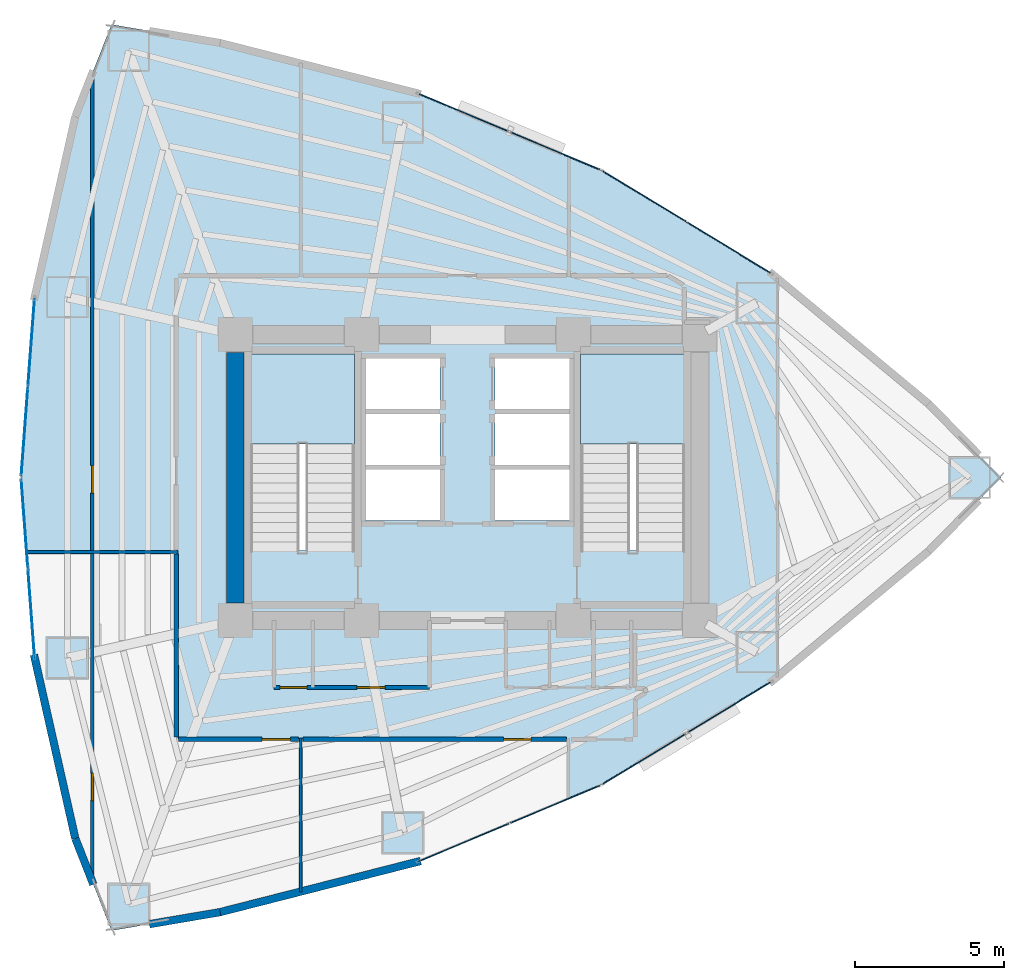
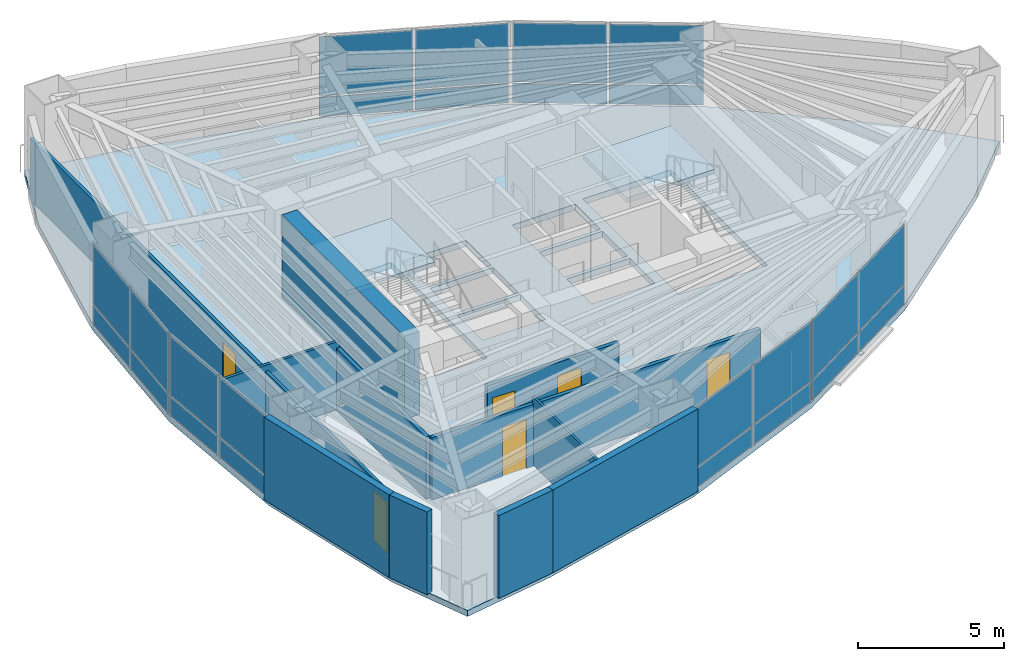
# One storey, part 13 of 17: 24 plates, 12 walls, 6 doors, 3 slabs, 6 openings, 8 elements without a shape of their own.
"""IFC4 building model written with IfcOpenShell, lengths in metres."""

from ifc_helpers import new_model, si_unit, direction, frame, frame_2d, origin, origin_2d, place, context, subcontext, project, spatial, polyline, rectangle, outline, extrude, material, layer, layer_set, type_object, element, fill, aggregate, save


model = new_model("IFC4")

# Units and contexts
model_context = context("Model", 3, precision=1e-05, world=origin(), true_north=direction((0.0, 1.0)))
body_context = subcontext(model_context, "Body", "Model", "MODEL_VIEW")
ifc_project = project(units=[si_unit("LENGTHUNIT", "METRE"), si_unit("AREAUNIT", "SQUARE_METRE"), si_unit("VOLUMEUNIT", "CUBIC_METRE"), si_unit("PLANEANGLEUNIT", "RADIAN"), si_unit("MASSUNIT", "GRAM", prefix="KILO")], contexts=[model_context])

# Site, building, storey
site_placement = place(None, origin())
site = spatial("IfcSite", under=ifc_project, at=site_placement, CompositionType="ELEMENT")
building_placement = place(site_placement, origin())
building = spatial("IfcBuilding", under=site, at=building_placement, Name="Menara Vayukalpa", CompositionType="ELEMENT")
storey_placement = place(building_placement, frame((0.0, 0.0, 49.919921875)))
storey = spatial("IfcBuildingStorey", under=building, at=storey_placement, Name="L11", CompositionType="ELEMENT", Elevation=49.919921875)

# Curtain wall, plates
ifc_material_1 = material(Name="Anodised Terracotta Aluminium Alloy 6063-T6", Category="masonry")
ifc_layer_1 = layer(ifc_material_1, 0.1650390625)
ifc_layer_set_1 = layer_set([ifc_layer_1], Name="Anodised Terracotta Aluminium Alloy 6063-T6")
curtain_wall_type = type_object("IfcCurtainWallType", Name="CW-CW2", PredefinedType="USERDEFINED", material=ifc_layer_set_1)
curtain_wall_1_placement = place(storey_placement, origin())
curtain_wall_1 = element("IfcCurtainWall", 1, at=curtain_wall_1_placement, inside=storey, type_object=curtain_wall_type, Name="L11 Low Rise Terracotta Ribbon Curtain Wall CW2 04", ObjectType="UNITISED", PredefinedType="USERDEFINED")
ifc_material_2 = material(Name="Low-E Double Glazing", Category="glass")
ifc_layer_2 = layer(ifc_material_2, 0.031982421875)
ifc_layer_set_2 = layer_set([ifc_layer_2], Name="Low-E Double Glazing")
plate_type = type_object("IfcPlateType", Name="CWP-CW2", PredefinedType="CURTAIN_PANEL", material=ifc_layer_set_2)
plate_1_placement = place(storey_placement, frame((34.371826171875, 29.721435546875, 0.06494140625), z_axis=(0.0, 0.0, 1.0), x_axis=(-0.854663727945, 0.519181964377, 0.0)))
plate_1 = element("IfcPlate", 2, at=plate_1_placement, type_object=plate_type, Name="CW2 panel 1.1", PredefinedType="CURTAIN_PANEL", context=body_context, shape_type="SweptSolid", body=[
    extrude(rectangle(XDim=3.24267578125, YDim=0.031982421875, at=origin_2d()), origin(), (0.0, 0.0, 1.0), 0.802490234375),
])
plate_2_placement = place(storey_placement, frame((34.371826171875, 29.721435546875, 0.9326171875), z_axis=(0.0, 0.0, 1.0), x_axis=(-0.854663727945, 0.519181964377, 0.0)))
plate_2 = element("IfcPlate", 3, at=plate_2_placement, type_object=plate_type, Name="CW2 panel 1.2", PredefinedType="CURTAIN_PANEL", context=body_context, shape_type="SweptSolid", body=[
    extrude(rectangle(XDim=3.24267578125, YDim=0.031982421875, at=origin_2d()), origin(), (0.0, 0.0, 1.0), 2.472412109375),
])
plate_3_placement = place(storey_placement, frame((31.54052734375, 31.44140625, 0.06494140625), z_axis=(0.0, 0.0, 1.0), x_axis=(-0.854663727945, 0.519181964377, 0.0)))
plate_3 = element("IfcPlate", 4, at=plate_3_placement, type_object=plate_type, Name="CW2 panel 2.1", PredefinedType="CURTAIN_PANEL", context=body_context, shape_type="SweptSolid", body=[
    extrude(rectangle(XDim=3.24267578125, YDim=0.031982421875, at=origin_2d()), origin(), (0.0, 0.0, 1.0), 0.802490234375),
])
plate_4_placement = place(storey_placement, frame((31.54052734375, 31.44140625, 0.9326171875), z_axis=(0.0, 0.0, 1.0), x_axis=(-0.854663727945, 0.519181964377, 0.0)))
plate_4 = element("IfcPlate", 5, at=plate_4_placement, type_object=plate_type, Name="CW2 panel 2.2", PredefinedType="CURTAIN_PANEL", context=body_context, shape_type="SweptSolid", body=[
    extrude(rectangle(XDim=3.24267578125, YDim=0.031982421875, at=origin_2d()), origin(), (0.0, 0.0, 1.0), 2.472412109375),
])
aggregate(curtain_wall_1, [plate_1, plate_2, plate_3, plate_4])

curtain_wall_2_placement = place(storey_placement, origin())
curtain_wall_2 = element("IfcCurtainWall", 6, at=curtain_wall_2_placement, inside=storey, type_object=curtain_wall_type, Name="L11 Low Rise Terracotta Ribbon Curtain Wall CW2 05", ObjectType="UNITISED", PredefinedType="USERDEFINED")
plate_5_placement = place(storey_placement, frame((28.534912109375, 32.97216796875, 0.06494140625), z_axis=(0.0, 0.0, 1.0), x_axis=(-0.922542658101, 0.385895120445, 0.0)))
plate_5 = element("IfcPlate", 7, at=plate_5_placement, type_object=plate_type, Name="CW2 panel 1.1", PredefinedType="CURTAIN_PANEL", context=body_context, shape_type="SweptSolid", body=[
    extrude(rectangle(XDim=3.242431640625, YDim=0.031982421875, at=origin_2d()), origin(), (0.0, 0.0, 1.0), 0.802490234375),
])
plate_6_placement = place(storey_placement, frame((28.534912109375, 32.97216796875, 0.9326171875), z_axis=(0.0, 0.0, 1.0), x_axis=(-0.922542658101, 0.385895120445, 0.0)))
plate_6 = element("IfcPlate", 8, at=plate_6_placement, type_object=plate_type, Name="CW2 panel 1.2", PredefinedType="CURTAIN_PANEL", context=body_context, shape_type="SweptSolid", body=[
    extrude(rectangle(XDim=3.242431640625, YDim=0.031982421875, at=origin_2d()), origin(), (0.0, 0.0, 1.0), 2.472412109375),
])
plate_7_placement = place(storey_placement, frame((25.478759765625, 34.250244140625, 0.06494140625), z_axis=(0.0, 0.0, 1.0), x_axis=(-0.922542658101, 0.385895120445, 0.0)))
plate_7 = element("IfcPlate", 9, at=plate_7_placement, type_object=plate_type, Name="CW2 panel 2.1", PredefinedType="CURTAIN_PANEL", context=body_context, shape_type="SweptSolid", body=[
    extrude(rectangle(XDim=3.242431640625, YDim=0.031982421875, at=origin_2d()), origin(), (0.0, 0.0, 1.0), 0.802490234375),
])
plate_8_placement = place(storey_placement, frame((25.478759765625, 34.250244140625, 0.9326171875), z_axis=(0.0, 0.0, 1.0), x_axis=(-0.922542658101, 0.385895120445, 0.0)))
plate_8 = element("IfcPlate", 10, at=plate_8_placement, type_object=plate_type, Name="CW2 panel 2.2", PredefinedType="CURTAIN_PANEL", context=body_context, shape_type="SweptSolid", body=[
    extrude(rectangle(XDim=3.242431640625, YDim=0.031982421875, at=origin_2d()), origin(), (0.0, 0.0, 1.0), 2.472412109375),
])
aggregate(curtain_wall_2, [plate_5, plate_6, plate_7, plate_8])

curtain_wall_3_placement = place(storey_placement, origin())
curtain_wall_3 = element("IfcCurtainWall", 11, at=curtain_wall_3_placement, inside=storey, type_object=curtain_wall_type, Name="L11 Low Rise Terracotta Ribbon Curtain Wall CW2 10", ObjectType="UNITISED", PredefinedType="USERDEFINED")
plate_9_placement = place(storey_placement, frame((10.94921875, 26.52734375, 0.06494140625), z_axis=(0.0, 0.0, 1.0), x_axis=(-0.074794857576, -0.997198941676, 0.0)))
plate_9 = element("IfcPlate", 12, at=plate_9_placement, type_object=plate_type, Name="CW2 panel 1.1", PredefinedType="CURTAIN_PANEL", context=body_context, shape_type="SweptSolid", body=[
    extrude(rectangle(XDim=2.933349609375, YDim=0.031982421875, at=origin_2d()), origin(), (0.0, 0.0, 1.0), 0.802490234375),
])
plate_10_placement = place(storey_placement, frame((10.94921875, 26.52734375, 0.9326171875), z_axis=(0.0, 0.0, 1.0), x_axis=(-0.074794857576, -0.997198941676, 0.0)))
plate_10 = element("IfcPlate", 13, at=plate_10_placement, type_object=plate_type, Name="CW2 panel 1.2", PredefinedType="CURTAIN_PANEL", context=body_context, shape_type="SweptSolid", body=[
    extrude(rectangle(XDim=2.933349609375, YDim=0.031982421875, at=origin_2d()), origin(), (0.0, 0.0, 1.0), 2.472412109375),
])
plate_11_placement = place(storey_placement, frame((10.724609375, 23.532470703125, 0.06494140625), z_axis=(0.0, 0.0, 1.0), x_axis=(-0.074794857576, -0.997198941676, 0.0)))
plate_11 = element("IfcPlate", 14, at=plate_11_placement, type_object=plate_type, Name="CW2 panel 2.1", PredefinedType="CURTAIN_PANEL", context=body_context, shape_type="SweptSolid", body=[
    extrude(rectangle(XDim=2.933349609375, YDim=0.031982421875, at=origin_2d()), origin(), (0.0, 0.0, 1.0), 0.802490234375),
])
plate_12_placement = place(storey_placement, frame((10.724609375, 23.532470703125, 0.9326171875), z_axis=(0.0, 0.0, 1.0), x_axis=(-0.074794857576, -0.997198941676, 0.0)))
plate_12 = element("IfcPlate", 15, at=plate_12_placement, type_object=plate_type, Name="CW2 panel 2.2", PredefinedType="CURTAIN_PANEL", context=body_context, shape_type="SweptSolid", body=[
    extrude(rectangle(XDim=2.933349609375, YDim=0.031982421875, at=origin_2d()), origin(), (0.0, 0.0, 1.0), 2.472412109375),
])
aggregate(curtain_wall_3, [plate_9, plate_10, plate_11, plate_12])

curtain_wall_4_placement = place(storey_placement, origin())
curtain_wall_4 = element("IfcCurtainWall", 16, at=curtain_wall_4_placement, inside=storey, type_object=curtain_wall_type, Name="L11 Low Rise Terracotta Ribbon Curtain Wall CW2 11", ObjectType="UNITISED", PredefinedType="USERDEFINED")
plate_13_placement = place(storey_placement, frame((10.724609375, 20.467529296875, 0.06494140625), z_axis=(0.0, 0.0, 1.0), x_axis=(0.074794857576, -0.997198941676, 0.0)))
plate_13 = element("IfcPlate", 17, at=plate_13_placement, type_object=plate_type, Name="CW2 panel 1.1", PredefinedType="CURTAIN_PANEL", context=body_context, shape_type="SweptSolid", body=[
    extrude(rectangle(XDim=2.933349609375, YDim=0.031982421875, at=origin_2d()), origin(), (0.0, 0.0, 1.0), 0.802490234375),
])
plate_14_placement = place(storey_placement, frame((10.724609375, 20.467529296875, 0.9326171875), z_axis=(0.0, 0.0, 1.0), x_axis=(0.074794857576, -0.997198941676, 0.0)))
plate_14 = element("IfcPlate", 18, at=plate_14_placement, type_object=plate_type, Name="CW2 panel 1.2", PredefinedType="CURTAIN_PANEL", context=body_context, shape_type="SweptSolid", body=[
    extrude(rectangle(XDim=2.933349609375, YDim=0.031982421875, at=origin_2d()), origin(), (0.0, 0.0, 1.0), 2.472412109375),
])
plate_15_placement = place(storey_placement, frame((10.94921875, 17.47265625, 0.06494140625), z_axis=(0.0, 0.0, 1.0), x_axis=(0.074794857576, -0.997198941676, 0.0)))
plate_15 = element("IfcPlate", 19, at=plate_15_placement, type_object=plate_type, Name="CW2 panel 2.1", PredefinedType="CURTAIN_PANEL", context=body_context, shape_type="SweptSolid", body=[
    extrude(rectangle(XDim=2.933349609375, YDim=0.031982421875, at=origin_2d()), origin(), (0.0, 0.0, 1.0), 0.802490234375),
])
plate_16_placement = place(storey_placement, frame((10.94921875, 17.47265625, 0.9326171875), z_axis=(0.0, 0.0, 1.0), x_axis=(0.074794857576, -0.997198941676, 0.0)))
plate_16 = element("IfcPlate", 20, at=plate_16_placement, type_object=plate_type, Name="CW2 panel 2.2", PredefinedType="CURTAIN_PANEL", context=body_context, shape_type="SweptSolid", body=[
    extrude(rectangle(XDim=2.933349609375, YDim=0.031982421875, at=origin_2d()), origin(), (0.0, 0.0, 1.0), 2.472412109375),
])
aggregate(curtain_wall_4, [plate_13, plate_14, plate_15, plate_16])

curtain_wall_5_placement = place(storey_placement, origin())
curtain_wall_5 = element("IfcCurtainWall", 21, at=curtain_wall_5_placement, inside=storey, type_object=curtain_wall_type, Name="L11 Low Rise Terracotta Ribbon Curtain Wall CW2 16", ObjectType="UNITISED", PredefinedType="USERDEFINED")
plate_17_placement = place(storey_placement, frame((25.478759765625, 9.749755859375, 0.06494140625), z_axis=(0.0, 0.0, 1.0), x_axis=(0.922542658101, 0.385895120445, 0.0)))
plate_17 = element("IfcPlate", 22, at=plate_17_placement, type_object=plate_type, Name="CW2 panel 1.1", PredefinedType="CURTAIN_PANEL", context=body_context, shape_type="SweptSolid", body=[
    extrude(rectangle(XDim=3.242431640625, YDim=0.031982421875, at=origin_2d()), origin(), (0.0, 0.0, 1.0), 0.802490234375),
])
plate_18_placement = place(storey_placement, frame((25.478759765625, 9.749755859375, 0.9326171875), z_axis=(0.0, 0.0, 1.0), x_axis=(0.922542658101, 0.385895120445, 0.0)))
plate_18 = element("IfcPlate", 23, at=plate_18_placement, type_object=plate_type, Name="CW2 panel 1.2", PredefinedType="CURTAIN_PANEL", context=body_context, shape_type="SweptSolid", body=[
    extrude(rectangle(XDim=3.242431640625, YDim=0.031982421875, at=origin_2d()), origin(), (0.0, 0.0, 1.0), 2.472412109375),
])
plate_19_placement = place(storey_placement, frame((28.534912109375, 11.02783203125, 0.06494140625), z_axis=(0.0, 0.0, 1.0), x_axis=(0.922542658101, 0.385895120445, 0.0)))
plate_19 = element("IfcPlate", 24, at=plate_19_placement, type_object=plate_type, Name="CW2 panel 2.1", PredefinedType="CURTAIN_PANEL", context=body_context, shape_type="SweptSolid", body=[
    extrude(rectangle(XDim=3.242431640625, YDim=0.031982421875, at=origin_2d()), origin(), (0.0, 0.0, 1.0), 0.802490234375),
])
plate_20_placement = place(storey_placement, frame((28.534912109375, 11.02783203125, 0.9326171875), z_axis=(0.0, 0.0, 1.0), x_axis=(0.922542658101, 0.385895120445, 0.0)))
plate_20 = element("IfcPlate", 25, at=plate_20_placement, type_object=plate_type, Name="CW2 panel 2.2", PredefinedType="CURTAIN_PANEL", context=body_context, shape_type="SweptSolid", body=[
    extrude(rectangle(XDim=3.242431640625, YDim=0.031982421875, at=origin_2d()), origin(), (0.0, 0.0, 1.0), 2.472412109375),
])
aggregate(curtain_wall_5, [plate_17, plate_18, plate_19, plate_20])

curtain_wall_6_placement = place(storey_placement, origin())
curtain_wall_6 = element("IfcCurtainWall", 26, at=curtain_wall_6_placement, inside=storey, type_object=curtain_wall_type, Name="L11 Low Rise Terracotta Ribbon Curtain Wall CW2 17", ObjectType="UNITISED", PredefinedType="USERDEFINED")
plate_21_placement = place(storey_placement, frame((31.54052734375, 12.55859375, 0.06494140625), z_axis=(0.0, 0.0, 1.0), x_axis=(0.854663727945, 0.519181964377, 0.0)))
plate_21 = element("IfcPlate", 27, at=plate_21_placement, type_object=plate_type, Name="CW2 panel 1.1", PredefinedType="CURTAIN_PANEL", context=body_context, shape_type="SweptSolid", body=[
    extrude(rectangle(XDim=3.24267578125, YDim=0.031982421875, at=origin_2d()), origin(), (0.0, 0.0, 1.0), 0.802490234375),
])
plate_22_placement = place(storey_placement, frame((31.54052734375, 12.55859375, 0.9326171875), z_axis=(0.0, 0.0, 1.0), x_axis=(0.854663727945, 0.519181964377, 0.0)))
plate_22 = element("IfcPlate", 28, at=plate_22_placement, type_object=plate_type, Name="CW2 panel 1.2", PredefinedType="CURTAIN_PANEL", context=body_context, shape_type="SweptSolid", body=[
    extrude(rectangle(XDim=3.24267578125, YDim=0.031982421875, at=origin_2d()), origin(), (0.0, 0.0, 1.0), 2.472412109375),
])
plate_23_placement = place(storey_placement, frame((34.371826171875, 14.278564453125, 0.06494140625), z_axis=(0.0, 0.0, 1.0), x_axis=(0.854663727945, 0.519181964377, 0.0)))
plate_23 = element("IfcPlate", 29, at=plate_23_placement, type_object=plate_type, Name="CW2 panel 2.1", PredefinedType="CURTAIN_PANEL", context=body_context, shape_type="SweptSolid", body=[
    extrude(rectangle(XDim=3.24267578125, YDim=0.031982421875, at=origin_2d()), origin(), (0.0, 0.0, 1.0), 0.802490234375),
])
plate_24_placement = place(storey_placement, frame((34.371826171875, 14.278564453125, 0.9326171875), z_axis=(0.0, 0.0, 1.0), x_axis=(0.854663727945, 0.519181964377, 0.0)))
plate_24 = element("IfcPlate", 30, at=plate_24_placement, type_object=plate_type, Name="CW2 panel 2.2", PredefinedType="CURTAIN_PANEL", context=body_context, shape_type="SweptSolid", body=[
    extrude(rectangle(XDim=3.24267578125, YDim=0.031982421875, at=origin_2d()), origin(), (0.0, 0.0, 1.0), 2.472412109375),
])
aggregate(curtain_wall_6, [plate_21, plate_22, plate_23, plate_24])

# Slab
ifc_material_3 = material(Name="Concrete C40/50", Category="concrete")
ifc_layer_3 = layer(ifc_material_3, 0.25)
ifc_layer_set_3 = layer_set([ifc_layer_3], Name="Concrete C40/50")
slab_type_1 = type_object("IfcSlabType", Name="SLB-FL250", PredefinedType="FLOOR", material=ifc_layer_set_3)
slab_1_placement = place(storey_placement, frame((0.0, 0.0, -0.25)))
element("IfcSlab", 31, at=slab_1_placement, inside=storey, type_object=slab_type_1, Name="L11 Structural Floor Slab", PredefinedType="FLOOR", context=body_context, shape_type="SweptSolid", body=[
    extrude(outline(polyline([(41.084716796875, 19.52490234375), (43.514892578125, 22.0), (41.084716796875, 24.47509765625), (35.817138671875, 28.843505859375), (30.09521484375, 32.3193359375), (23.918701171875, 34.903076171875), (17.28759765625, 36.59423828125), (13.642578125, 37.212890625), (12.427490234375, 34.119140625), (11.064208984375, 28.0595703125), (10.609619140625, 22.0), (11.064208984375, 15.9404296875), (12.427490234375, 9.880859375), (13.642578125, 6.787109375), (17.28759765625, 7.40576171875), (23.918701171875, 9.096923828125), (30.09521484375, 11.6806640625), (35.817138671875, 15.156494140625), (41.084716796875, 19.52490234375)]), holes=[polyline([(21.800048828125, 19.550048828125), (21.800048828125, 26.14990234375), (18.300048828125, 26.14990234375), (18.300048828125, 19.550048828125), (21.800048828125, 19.550048828125)]), polyline([(32.89990234375, 19.550048828125), (32.89990234375, 26.14990234375), (29.39990234375, 26.14990234375), (29.39990234375, 19.550048828125), (32.89990234375, 19.550048828125)]), polyline([(22.179931640625, 20.550048828125), (24.679931640625, 20.550048828125), (24.679931640625, 22.27001953125), (22.179931640625, 22.27001953125), (22.179931640625, 20.550048828125)]), polyline([(26.52001953125, 20.550048828125), (29.02001953125, 20.550048828125), (29.02001953125, 22.27001953125), (26.52001953125, 22.27001953125), (26.52001953125, 20.550048828125)]), polyline([(22.179931640625, 22.419921875), (24.679931640625, 22.419921875), (24.679931640625, 24.139892578125), (22.179931640625, 24.139892578125), (22.179931640625, 22.419921875)]), polyline([(22.179931640625, 24.2900390625), (24.679931640625, 24.2900390625), (24.679931640625, 26.010009765625), (22.179931640625, 26.010009765625), (22.179931640625, 24.2900390625)]), polyline([(26.52001953125, 24.2900390625), (29.02001953125, 24.2900390625), (29.02001953125, 26.010009765625), (26.52001953125, 26.010009765625), (26.52001953125, 24.2900390625)]), polyline([(26.52001953125, 22.419921875), (29.02001953125, 22.419921875), (29.02001953125, 24.139892578125), (26.52001953125, 24.139892578125), (26.52001953125, 22.419921875)])]), origin(), (0.0, 0.0, 1.0), 0.25),
])

# Stair, slab
ifc_material_4 = material(Name="Precast Concrete C40/50", Category="concrete")
stair_type = type_object("IfcStairType", Name="STR-T04", PredefinedType="DOUBLE_RETURN_STAIR", material=ifc_material_4)
stair_1_placement = place(storey_placement, origin())
stair_1 = element("IfcStair", 32, at=stair_1_placement, inside=storey, type_object=stair_type, Name="L11 Core Exit Stair ST-1", PredefinedType="DOUBLE_RETURN_STAIR")
ifc_material_5 = material(Name="Precast Concrete C40/50", Category="concrete")
ifc_layer_4 = layer(ifc_material_5, 0.199951171875)
ifc_layer_set_4 = layer_set([ifc_layer_4], Name="Precast Concrete C40/50")
slab_type_2 = type_object("IfcSlabType", Name="SLB-LND200", PredefinedType="LANDING", material=ifc_layer_set_4)
slab_2_placement = place(storey_placement, frame((0.0, 0.0, 1.66015625)))
slab_2 = element("IfcSlab", 33, at=slab_2_placement, type_object=slab_type_2, Name="ST-1 landing 1", PredefinedType="LANDING", context=body_context, shape_type="SweptSolid", body=[
    extrude(outline(polyline([(21.800048828125, 23.1298828125), (21.800048828125, 26.14990234375), (18.300048828125, 26.14990234375), (18.300048828125, 23.1298828125), (21.800048828125, 23.1298828125)])), origin(), (0.0, 0.0, 1.0), 0.199951171875),
])
aggregate(stair_1, [slab_2])

stair_2_placement = place(storey_placement, origin())
stair_2 = element("IfcStair", 34, at=stair_2_placement, inside=storey, type_object=stair_type, Name="L11 Core Exit Stair ST-2", PredefinedType="DOUBLE_RETURN_STAIR")
slab_3_placement = place(storey_placement, frame((0.0, 0.0, 1.66015625)))
slab_3 = element("IfcSlab", 35, at=slab_3_placement, type_object=slab_type_2, Name="ST-2 landing 1", PredefinedType="LANDING", context=body_context, shape_type="SweptSolid", body=[
    extrude(outline(polyline([(32.89990234375, 23.1298828125), (32.89990234375, 26.14990234375), (29.39990234375, 26.14990234375), (29.39990234375, 23.1298828125), (32.89990234375, 23.1298828125)])), origin(), (0.0, 0.0, 1.0), 0.199951171875),
])
aggregate(stair_2, [slab_3])

# Walls
ifc_material_6 = material(Name="Concrete C70/85", Category="concrete")
ifc_layer_5 = layer(ifc_material_6, 0.60009765625)
ifc_layer_set_5 = layer_set([ifc_layer_5], Name="Concrete C70/85")
wall_type_1 = type_object("IfcWallType", Name="WAL-CW600", PredefinedType="SHEAR", material=ifc_layer_set_5)
wall_1_placement = place(storey_placement, frame((17.800048828125, 17.794921875, 0.0), z_axis=(0.0, 0.0, 1.0), x_axis=(0.0, 1.0, 0.0)))
element("IfcWall", 36, at=wall_1_placement, inside=storey, type_object=wall_type_1, Name="L11 Buttressed Core Shear Wall CWW1", PredefinedType="SHEAR", context=body_context, shape_type="SweptSolid", body=[
    extrude(rectangle(XDim=8.41015625, YDim=0.60009765625, at=frame_2d((4.205078125, 0.0))), origin(), (0.0, 0.0, 1.0), 3.469970703125),
])
ifc_material_7 = material(Name="Insulated Precast Concrete C40/50", Category="concrete")
ifc_layer_6 = layer(ifc_material_7, 0.260009765625)
ifc_layer_set_6 = layer_set([ifc_layer_6], Name="Insulated Precast Concrete C40/50")
wall_type_2 = type_object("IfcWallType", Name="WAL-EXT260", PredefinedType="PARTITIONING", material=ifc_layer_set_6)
wall_2_placement = place(storey_placement, frame((12.427490234375, 9.880859375, 0.0), z_axis=(0.0, 0.0, 1.0), x_axis=(-0.219502085231, 0.975612030768, 0.0)))
element("IfcWall", 37, at=wall_2_placement, inside=storey, type_object=wall_type_2, Name="L11 Perimeter Terracotta Pier Wall 12", PredefinedType="PARTITIONING", context=body_context, shape_type="SweptSolid", body=[
    extrude(rectangle(XDim=6.32080078125, YDim=0.260009765625, at=frame_2d((3.160400390625, 0.0))), origin(), (0.0, 0.0, 1.0), 3.469970703125),
])
wall_3_placement = place(storey_placement, frame((13.033203125, 8.339111328125, 0.0), z_axis=(0.0, 0.0, 1.0), x_axis=(-0.365666052462, 0.930746119023, 0.0)))
element("IfcWall", 38, at=wall_3_placement, inside=storey, type_object=wall_type_2, Name="L11 Perimeter Terracotta Pier Wall 13", PredefinedType="PARTITIONING", context=body_context, shape_type="SweptSolid", body=[
    extrude(rectangle(XDim=1.656494140625, YDim=0.260009765625, at=frame_2d((0.828125, 0.0))), origin(), (0.0, 0.0, 1.0), 3.469970703125),
])
wall_4_placement = place(storey_placement, frame((17.29345703125, 7.40673828125, 0.0), z_axis=(0.0, 0.0, 1.0), x_axis=(-0.985905469923, -0.167303330437, 0.0)))
element("IfcWall", 39, at=wall_4_placement, inside=storey, type_object=wall_type_2, Name="L11 Perimeter Terracotta Pier Wall 14", PredefinedType="PARTITIONING", context=body_context, shape_type="SweptSolid", body=[
    extrude(rectangle(XDim=2.412109375, YDim=0.260009765625, at=frame_2d((1.2060546875, 0.0))), origin(), (0.0, 0.0, 1.0), 3.469970703125),
])
wall_5_placement = place(storey_placement, frame((24.025146484375, 9.124267578125, 0.0), z_axis=(0.0, 0.0, 1.0), x_axis=(-0.968977974408, -0.247147092057, 0.0)))
element("IfcWall", 40, at=wall_5_placement, inside=storey, type_object=wall_type_2, Name="L11 Perimeter Terracotta Pier Wall 15", PredefinedType="PARTITIONING", context=body_context, shape_type="SweptSolid", body=[
    extrude(rectangle(XDim=6.959228515625, YDim=0.260009765625, at=frame_2d((3.4794921875, 0.0))), origin(), (0.0, 0.0, 1.0), 3.469970703125),
])
ifc_material_8 = material(Name="Glazed Demountable Office Partition", Category="glass")
ifc_layer_7 = layer(ifc_material_8, 0.094970703125)
ifc_layer_set_7 = layer_set([ifc_layer_7], Name="Glazed Demountable Office Partition")
wall_type_3 = type_object("IfcWallType", Name="WAL-PT100", PredefinedType="PARTITIONING", material=ifc_layer_set_7)
wall_6_placement = place(storey_placement, frame((20.0, 8.08740234375, 0.0), z_axis=(0.0, 0.0, 1.0), x_axis=(0.0, 1.0, 0.0)))
element("IfcWall", 41, at=wall_6_placement, inside=storey, type_object=wall_type_3, Name="L11 Interior Partition IW-L11-RDIV02", PredefinedType="PARTITIONING", context=body_context, shape_type="SweptSolid", body=[
    extrude(rectangle(XDim=5.172607421875, YDim=0.094970703125, at=frame_2d((2.58642578125, 0.0))), origin(), (0.0, 0.0, 1.0), 2.85009765625),
])
ifc_material_9 = material(Name="Acoustic Mineral Stud Partition", Category="masonry")
ifc_layer_8 = layer(ifc_material_9, 0.110107421875)
ifc_layer_set_8 = layer_set([ifc_layer_8], Name="Acoustic Mineral Stud Partition")
wall_type_4 = type_object("IfcWallType", Name="WAL-PT110", PredefinedType="PARTITIONING", material=ifc_layer_set_8)
wall_7_placement = place(storey_placement, frame((10.787109375, 19.5, 0.0), z_axis=(0.0, 0.0, 1.0), x_axis=(1.0, 0.0, 0.0)))
element("IfcWall", 42, at=wall_7_placement, inside=storey, type_object=wall_type_4, Name="L11 Interior Partition IW-L11-RDIV07", PredefinedType="PARTITIONING", context=body_context, shape_type="SweptSolid", body=[
    extrude(rectangle(XDim=5.0830078125, YDim=0.110107421875, at=frame_2d((2.54150390625, 0.0))), origin(), (0.0, 0.0, 1.0), 2.85009765625),
])

# Wall, openings, doors
ifc_material_10 = material(Name="Gypsum Drywall Steel Stud Assembly", Category="steel")
ifc_layer_9 = layer(ifc_material_10, 0.125)
ifc_layer_set_9 = layer_set([ifc_layer_9], Name="Gypsum Drywall Steel Stud Assembly")
wall_type_5 = type_object("IfcWallType", Name="WAL-PT125", PredefinedType="PARTITIONING", material=ifc_layer_set_9)
wall_8_placement = place(storey_placement, frame((13.0, 8.39599609375, 0.0), z_axis=(0.0, 0.0, 1.0), x_axis=(0.0, 1.0, 0.0)))
wall_8 = element("IfcWall", 43, at=wall_8_placement, inside=storey, type_object=wall_type_5, Name="L11 Interior Partition IW-L11-RDIV01", PredefinedType="PARTITIONING", context=body_context, shape_type="SweptSolid", body=[
    extrude(rectangle(XDim=27.2080078125, YDim=0.125, at=frame_2d((13.60400390625, 0.0))), origin(), (0.0, 0.0, 1.0), 2.60009765625),
])
opening_1_placement = place(wall_8_placement, frame((2.759521484375, 0.0, 0.0)))
opening_1 = element("IfcOpeningElement", 44, at=opening_1_placement, cuts=wall_8, Name="Opening ID6", PredefinedType="OPENING", context=body_context, shape_type="SweptSolid", body=[
    extrude(rectangle(XDim=0.919921875, YDim=2.050048828125, at=frame_2d((0.4599609375, 1.02490234375))), frame((0.0, 0.072509765625, 0.0), z_axis=(0.0, -1.0, 0.0), x_axis=(1.0, 0.0, 0.0)), (0.0, 0.0, 1.0), 0.14501953125),
])
opening_2_placement = place(wall_8_placement, frame((13.08447265625, 0.0, 0.0)))
opening_2 = element("IfcOpeningElement", 45, at=opening_2_placement, cuts=wall_8, Name="Opening ID6", PredefinedType="OPENING", context=body_context, shape_type="SweptSolid", body=[
    extrude(rectangle(XDim=0.919921875, YDim=2.050048828125, at=frame_2d((0.4599609375, 1.02490234375))), frame((0.0, 0.072509765625, 0.0), z_axis=(0.0, -1.0, 0.0), x_axis=(1.0, 0.0, 0.0)), (0.0, 0.0, 1.0), 0.14501953125),
])
ifc_material_11 = material(Name="Acoustic Hardwood Veneer Timber Door", Category="wood")
door_type_1 = type_object("IfcDoorType", Name="DR-INT92", OperationType="NOTDEFINED", PredefinedType="DOOR", material=ifc_material_11)
door_1_placement = place(opening_1_placement, origin())
door_1 = element("IfcDoor", 46, at=door_1_placement, inside=storey, type_object=door_type_1, Name="L11 Interior Door DR-L11-STE01", OperationType="SINGLE_SWING_RIGHT", OverallHeight=2.050048828125, OverallWidth=0.919921875, PredefinedType="DOOR", context=body_context, shape_type="SweptSolid", body=[
    extrude(rectangle(XDim=0.919921875, YDim=2.050048828125, at=frame_2d((0.4599609375, 1.02490234375))), frame((0.0, 0.02490234375, 0.0), z_axis=(0.0, -1.0, 0.0), x_axis=(1.0, 0.0, 0.0)), (0.0, 0.0, 1.0), 0.050048828125),
])
fill(opening_1, door_1)
door_2_placement = place(opening_2_placement, origin())
door_2 = element("IfcDoor", 47, at=door_2_placement, inside=storey, type_object=door_type_1, Name="L11 Interior Door DR-L11-STE09", OperationType="SINGLE_SWING_LEFT", OverallHeight=2.050048828125, OverallWidth=0.919921875, PredefinedType="DOOR", context=body_context, shape_type="SweptSolid", body=[
    extrude(rectangle(XDim=0.919921875, YDim=2.050048828125, at=frame_2d((0.4599609375, 1.02490234375))), frame((0.0, 0.02490234375, 0.0), z_axis=(0.0, -1.0, 0.0), x_axis=(1.0, 0.0, 0.0)), (0.0, 0.0, 1.0), 0.050048828125),
])
fill(opening_2, door_2)

ifc_material_12 = material(Name="Gypsum Drywall Acoustic Stud Assembly", Category="masonry")
ifc_layer_10 = layer(ifc_material_12, 0.14501953125)
ifc_layer_set_10 = layer_set([ifc_layer_10], Name="Gypsum Drywall Acoustic Stud Assembly")
wall_type_6 = type_object("IfcWallType", Name="WAL-PT150", PredefinedType="PARTITIONING", material=ifc_layer_set_10)
wall_9_placement = place(storey_placement, frame((19.10009765625, 14.949951171875, 0.0), z_axis=(0.0, 0.0, 1.0), x_axis=(1.0, 0.0, 0.0)))
wall_9 = element("IfcWall", 48, at=wall_9_placement, inside=storey, type_object=wall_type_6, Name="L11 Interior Partition IW-L11-SVCS-W", PredefinedType="PARTITIONING", context=body_context, shape_type="SweptSolid", body=[
    extrude(rectangle(XDim=5.219970703125, YDim=0.14501953125, at=frame_2d((2.60986328125, 0.0))), origin(), (0.0, 0.0, 1.0), 2.60009765625),
])
opening_3_placement = place(wall_9_placement, frame((0.199951171875, 0.0, 0.0)))
opening_3 = element("IfcOpeningElement", 49, at=opening_3_placement, cuts=wall_9, Name="Opening ID7", PredefinedType="OPENING", context=body_context, shape_type="SweptSolid", body=[
    extrude(rectangle(XDim=0.89990234375, YDim=2.02001953125, at=frame_2d((0.449951171875, 1.010009765625))), frame((0.0, 0.08251953125, 0.0), z_axis=(0.0, -1.0, 0.0), x_axis=(1.0, 0.0, 0.0)), (0.0, 0.0, 1.0), 0.1650390625),
])
opening_4_placement = place(wall_9_placement, frame((2.784912109375, 0.0, 0.0)))
opening_4 = element("IfcOpeningElement", 50, at=opening_4_placement, cuts=wall_9, Name="Opening ID5", PredefinedType="OPENING", context=body_context, shape_type="SweptSolid", body=[
    extrude(rectangle(XDim=0.949951171875, YDim=2.06005859375, at=frame_2d((0.47509765625, 1.030029296875))), frame((0.0, 0.08251953125, 0.0), z_axis=(0.0, -1.0, 0.0), x_axis=(1.0, 0.0, 0.0)), (0.0, 0.0, 1.0), 0.1650390625),
])
ifc_material_13 = material(Name="Acoustic Hardwood Veneer Timber Door", Category="wood")
door_type_2 = type_object("IfcDoorType", Name="DR-INT95", OperationType="NOTDEFINED", PredefinedType="DOOR", material=ifc_material_13)
door_3_placement = place(opening_4_placement, origin())
door_3 = element("IfcDoor", 51, at=door_3_placement, inside=storey, type_object=door_type_2, Name="L11 Interior Door DR-L11-AWC", OperationType="SINGLE_SWING_LEFT", OverallHeight=2.06005859375, OverallWidth=0.949951171875, PredefinedType="DOOR", context=body_context, shape_type="SweptSolid", body=[
    extrude(rectangle(XDim=0.949951171875, YDim=2.06005859375, at=frame_2d((0.47509765625, 1.030029296875))), frame((0.0, 0.02490234375, 0.0), z_axis=(0.0, -1.0, 0.0), x_axis=(1.0, 0.0, 0.0)), (0.0, 0.0, 1.0), 0.050048828125),
])
fill(opening_4, door_3)
ifc_material_14 = material(Name="Powder-Coated Steel Riser Access Door", Category="steel")
door_type_3 = type_object("IfcDoorType", Name="DR-RISER", OperationType="NOTDEFINED", PredefinedType="DOOR", material=ifc_material_14)
door_4_placement = place(opening_3_placement, origin())
door_4 = element("IfcDoor", 52, at=door_4_placement, inside=storey, type_object=door_type_3, Name="L11 Interior Door DR-L11-ELR", OperationType="SINGLE_SWING_RIGHT", OverallHeight=2.02001953125, OverallWidth=0.89990234375, PredefinedType="DOOR", context=body_context, shape_type="SweptSolid", body=[
    extrude(rectangle(XDim=0.89990234375, YDim=2.02001953125, at=frame_2d((0.449951171875, 1.010009765625))), frame((0.0, 0.02490234375, 0.0), z_axis=(0.0, -1.0, 0.0), x_axis=(1.0, 0.0, 0.0)), (0.0, 0.0, 1.0), 0.050048828125),
])
fill(opening_3, door_4)

# Wall
wall_10_placement = place(storey_placement, frame((15.820068359375, 19.429931640625, 0.0), z_axis=(0.0, 0.0, 1.0), x_axis=(0.0, -1.0, 0.0)))
element("IfcWall", 53, at=wall_10_placement, inside=storey, type_object=wall_type_6, Name="L11 Interior Partition IW-L11-CRM03-1", PredefinedType="PARTITIONING", context=body_context, shape_type="SweptSolid", body=[
    extrude(rectangle(XDim=6.139892578125, YDim=0.14501953125, at=frame_2d((3.06982421875, 0.0))), origin(), (0.0, 0.0, 1.0), 2.60009765625),
])

# Wall, opening, door
wall_11_placement = place(storey_placement, frame((15.89990234375, 13.2099609375, 0.0), z_axis=(0.0, 0.0, 1.0), x_axis=(1.0, 0.0, 0.0)))
wall_11 = element("IfcWall", 54, at=wall_11_placement, inside=storey, type_object=wall_type_6, Name="L11 Interior Partition IW-L11-CRM03-2", PredefinedType="PARTITIONING", context=body_context, shape_type="SweptSolid", body=[
    extrude(rectangle(XDim=4.030029296875, YDim=0.14501953125, at=frame_2d((2.01513671875, 0.0))), origin(), (0.0, 0.0, 1.0), 2.60009765625),
])
opening_5_placement = place(wall_11_placement, frame((2.800048828125, 0.0, 0.0)))
opening_5 = element("IfcOpeningElement", 55, at=opening_5_placement, cuts=wall_11, Name="Opening ID5", PredefinedType="OPENING", context=body_context, shape_type="SweptSolid", body=[
    extrude(rectangle(XDim=0.949951171875, YDim=2.06005859375, at=frame_2d((0.47509765625, 1.030029296875))), frame((0.0, 0.08251953125, 0.0), z_axis=(0.0, -1.0, 0.0), x_axis=(1.0, 0.0, 0.0)), (0.0, 0.0, 1.0), 0.1650390625),
])
door_5_placement = place(opening_5_placement, origin())
door_5 = element("IfcDoor", 56, at=door_5_placement, inside=storey, type_object=door_type_2, Name="L11 Interior Door DR-L11-RM03", OperationType="SINGLE_SWING_LEFT", OverallHeight=2.06005859375, OverallWidth=0.949951171875, PredefinedType="DOOR", context=body_context, shape_type="SweptSolid", body=[
    extrude(rectangle(XDim=0.949951171875, YDim=2.06005859375, at=frame_2d((0.47509765625, 1.030029296875))), frame((0.0, 0.02490234375, 0.0), z_axis=(0.0, -1.0, 0.0), x_axis=(1.0, 0.0, 0.0)), (0.0, 0.0, 1.0), 0.050048828125),
])
fill(opening_5, door_5)

wall_12_placement = place(storey_placement, frame((20.070068359375, 13.2099609375, 0.0), z_axis=(0.0, 0.0, 1.0), x_axis=(1.0, 0.0, 0.0)))
wall_12 = element("IfcWall", 57, at=wall_12_placement, inside=storey, type_object=wall_type_6, Name="L11 Interior Partition IW-L11-CRM04-1", PredefinedType="PARTITIONING", context=body_context, shape_type="SweptSolid", body=[
    extrude(rectangle(XDim=8.85986328125, YDim=0.14501953125, at=frame_2d((4.429931640625, 0.0))), origin(), (0.0, 0.0, 1.0), 2.60009765625),
])
opening_6_placement = place(wall_12_placement, frame((6.737548828125, 0.0, 0.0)))
opening_6 = element("IfcOpeningElement", 58, at=opening_6_placement, cuts=wall_12, Name="Opening ID6", PredefinedType="OPENING", context=body_context, shape_type="SweptSolid", body=[
    extrude(rectangle(XDim=0.919921875, YDim=2.050048828125, at=frame_2d((0.4599609375, 1.02490234375))), frame((0.0, 0.08251953125, 0.0), z_axis=(0.0, -1.0, 0.0), x_axis=(1.0, 0.0, 0.0)), (0.0, 0.0, 1.0), 0.1650390625),
])
door_6_placement = place(opening_6_placement, origin())
door_6 = element("IfcDoor", 59, at=door_6_placement, inside=storey, type_object=door_type_1, Name="L11 Interior Door DR-L11-RM04", OperationType="SINGLE_SWING_RIGHT", OverallHeight=2.050048828125, OverallWidth=0.919921875, PredefinedType="DOOR", context=body_context, shape_type="SweptSolid", body=[
    extrude(rectangle(XDim=0.919921875, YDim=2.050048828125, at=frame_2d((0.4599609375, 1.02490234375))), frame((0.0, 0.02490234375, 0.0), z_axis=(0.0, -1.0, 0.0), x_axis=(1.0, 0.0, 0.0)), (0.0, 0.0, 1.0), 0.050048828125),
])
fill(opening_6, door_6)

save(model, "model.ifc")
